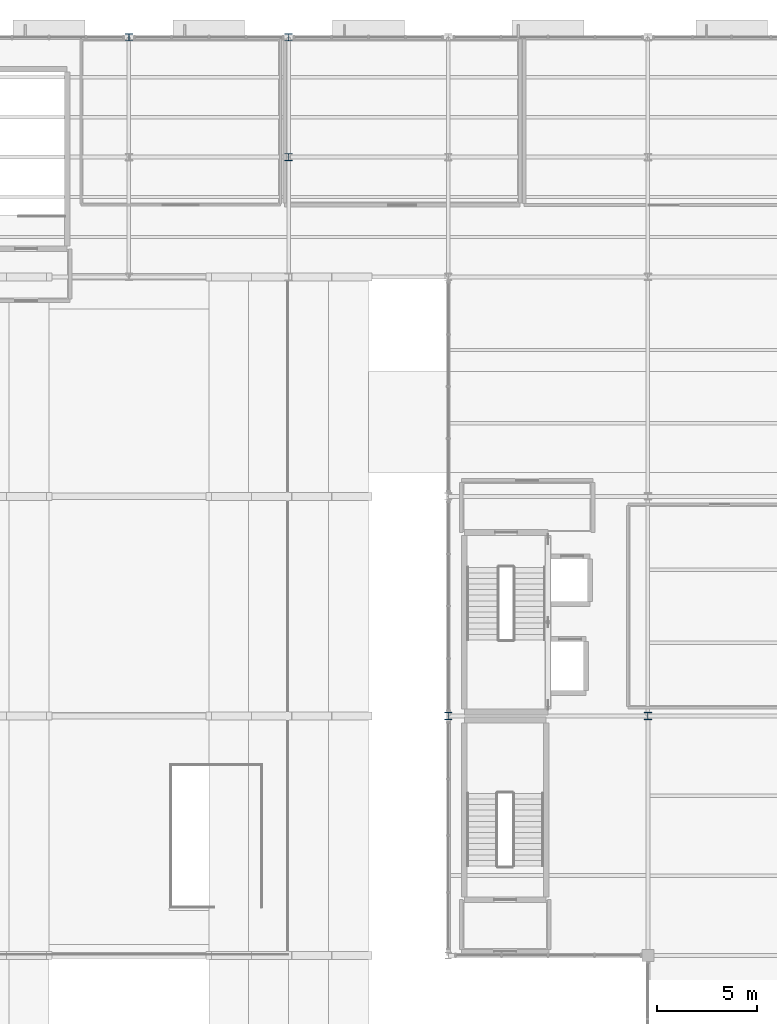
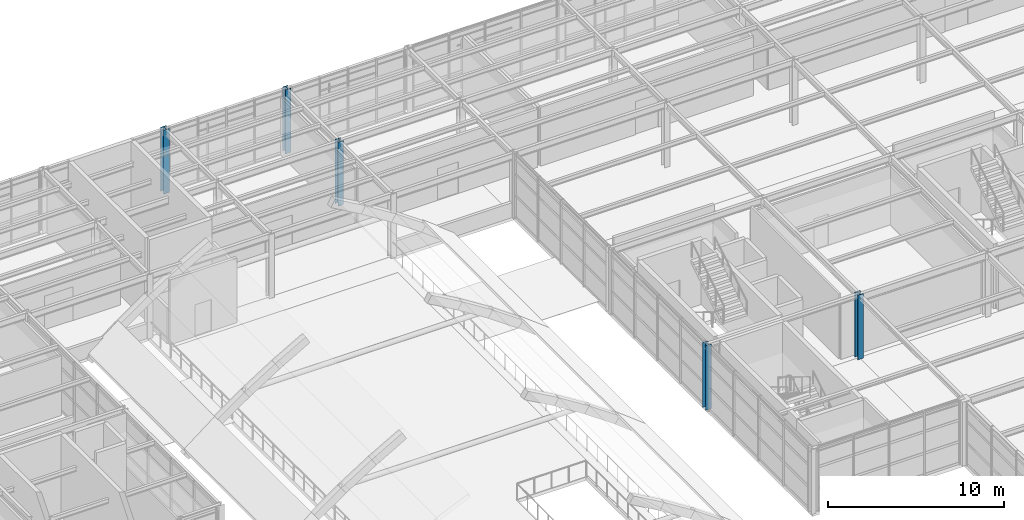
# One storey, part 8 of 82: 5 columns.
"""IFC4 building model written with IfcOpenShell, lengths in metres."""

from ifc_helpers import new_model, si_unit, direction, frame, origin, origin_2d, place, context, subcontext, project, spatial, i_section, extrude, material, material_profile, profile_set, type_object, element, save


model = new_model("IFC4")

# Units and contexts
model_context = context("Model", 3, precision=1e-05, world=origin(), true_north=direction((0.0, 1.0)))
body_context = subcontext(model_context, "Body", "Model", "MODEL_VIEW")
ifc_project = project(units=[si_unit("LENGTHUNIT", "METRE"), si_unit("AREAUNIT", "SQUARE_METRE"), si_unit("VOLUMEUNIT", "CUBIC_METRE"), si_unit("PLANEANGLEUNIT", "RADIAN"), si_unit("MASSUNIT", "GRAM", prefix="KILO")], contexts=[model_context])

# Site, building, storey
site_placement = place(None, origin())
site = spatial("IfcSite", under=ifc_project, at=site_placement, CompositionType="ELEMENT")
building_placement = place(site_placement, origin())
building = spatial("IfcBuilding", under=site, at=building_placement, Name="Sitalva Quay Ferry Terminal", CompositionType="ELEMENT")
storey_placement = place(building_placement, frame((0.0, 0.0, 5.39990234375)))
storey = spatial("IfcBuildingStorey", under=building, at=storey_placement, Name="L02", CompositionType="ELEMENT", Elevation=5.39990234375)

# Columns
ifc_material = material(Name="Structural Steel S355JR", Category="steel")
ifc_material_profile = material_profile(ifc_material, i_section(OverallWidth=0.368896484375, OverallDepth=0.35595703125, WebThickness=0.01123046875, FlangeThickness=0.01806640625, FilletRadius=0.014892578125, at=origin_2d()), Name="W360x134")
ifc_profile_set = profile_set([ifc_material_profile], Name="Structural Steel S355JR")
column_type = type_object("IfcColumnType", Name="Col_W360x134", PredefinedType="COLUMN", material=ifc_profile_set)
for number, where, z_axis, x_axis, name in (
    (1, (74.0, 78.0, 0.0), (0.0, 0.0, 1.0), (1.0, 0.0, 0.0), "L02 column 10J"),
    (2, (84.0, 78.0, 0.0), (0.0, 0.0, 1.0), (1.0, 0.0, 0.0), "L02 column 11J"),
):
    element("IfcColumn", number, at=place(storey_placement, frame(where, z_axis=z_axis, x_axis=x_axis)), inside=storey, type_object=column_type, Name=name, PredefinedType="COLUMN", context=body_context, shape_type="SweptSolid", body=[
        extrude(i_section(OverallWidth=0.368896484375, OverallDepth=0.35595703125, WebThickness=0.01123046875, FlangeThickness=0.01806640625, FilletRadius=0.014892578125, at=origin_2d()), origin(), (0.0, 0.0, 1.0), 4.5),
    ])
for number, where, z_axis, x_axis, name in (
    (3, (66.0, 106.0, 0.0), (0.0, 0.0, 1.0), (1.0, 0.0, 0.0), "L02 column 9M"),
    (4, (58.0, 112.0, 0.0), (0.0, 0.0, 1.0), (1.0, 0.0, 0.0), "L02 column 8N"),
    (5, (66.0, 112.0, 0.0), (0.0, 0.0, 1.0), (1.0, 0.0, 0.0), "L02 column 9N"),
):
    element("IfcColumn", number, at=place(storey_placement, frame(where, z_axis=z_axis, x_axis=x_axis)), inside=storey, type_object=column_type, Name=name, PredefinedType="COLUMN", context=body_context, shape_type="SweptSolid", body=[
        extrude(i_section(OverallWidth=0.368896484375, OverallDepth=0.35595703125, WebThickness=0.01123046875, FlangeThickness=0.01806640625, FilletRadius=0.014892578125, at=origin_2d()), origin(), (0.0, 0.0, 1.0), 4.4501953125),
    ])

save(model, "model.ifc")
